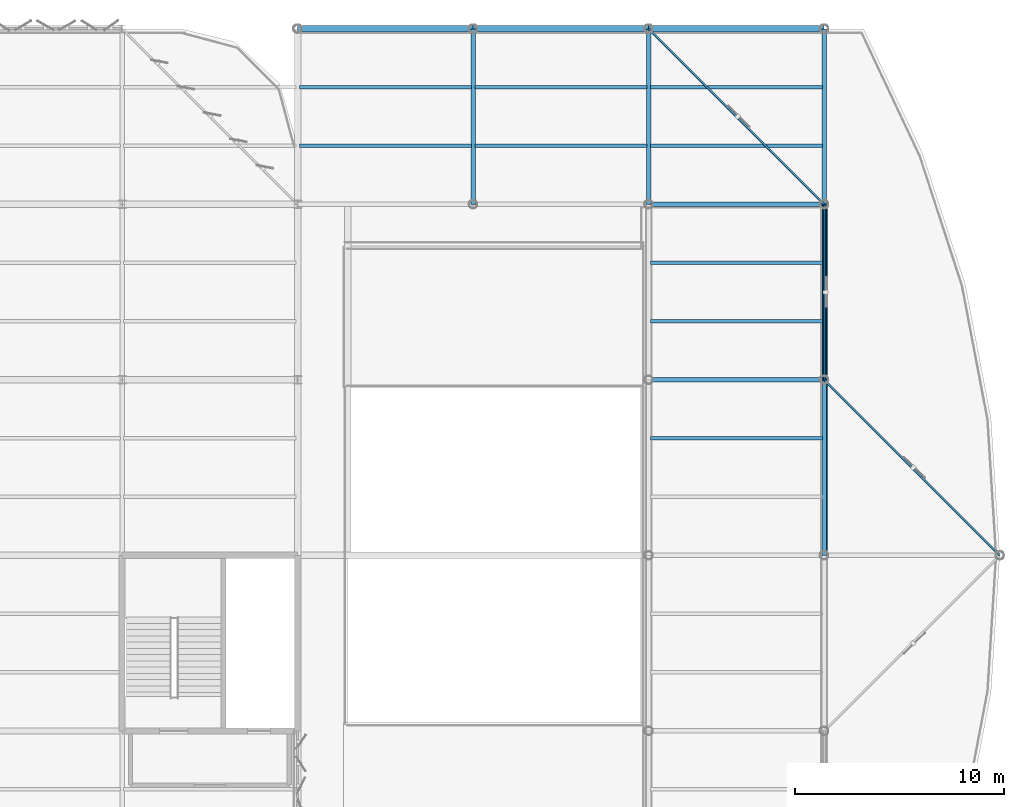
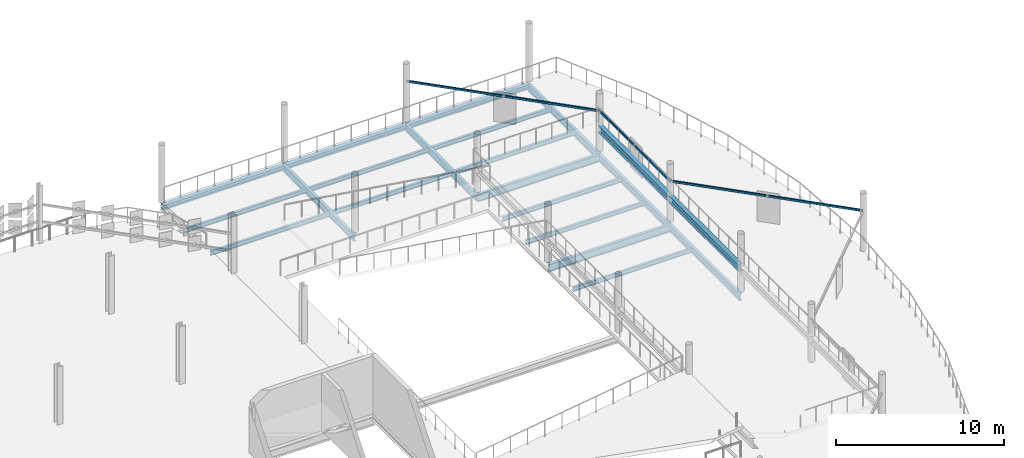
# One storey, part 111 of 163: 24 beams.
"""IFC4 building model written with IfcOpenShell, lengths in metres."""

import ifcopenshell
import ifcopenshell.guid

model = None  # the IFC model being written
_history = None  # IfcOwnerHistory: only IFC2X3 demands one
_inside = {}  # id of a spatial element -> (the spatial element, [elements in it])
_under = {}  # id of a project, library or spatial element -> (it, [spatial elements below it])
_declared = {}  # id of a project -> (the project, [libraries it declares])
_typed = {}  # id of a type object -> (the type object, [elements of that type])
_made_of = {}  # id of a material, layer set ... -> (it, [elements and type objects made of it])


def new_model(schema):
    """Start an empty IFC model of exactly this schema.

    Asked for "IFC4X3", IfcOpenShell would pick the latest addendum, in which some entities
    have other attributes; the version numbers below select the first issue.
    IFC2X3 requires an IfcOwnerHistory on every rooted entity: one is made here for all.
    """
    global model, _history
    if schema == "IFC4X3":
        model = ifcopenshell.file(schema_version=(4, 3, 0, 0))
    else:
        model = ifcopenshell.file(schema=schema)
    _inside.clear()
    _under.clear()
    _declared.clear()
    _typed.clear()
    _made_of.clear()
    _history = None
    if model.schema == "IFC2X3":
        org = make("IfcOrganization", Name="unknown")
        user = make(
            "IfcPersonAndOrganization",
            ThePerson=make("IfcPerson", FamilyName="unknown"),
            TheOrganization=org,
        )
        app = make(
            "IfcApplication",
            ApplicationDeveloper=org,
            Version="unknown",
            ApplicationFullName="unknown",
            ApplicationIdentifier="unknown",
        )
        _history = make(
            "IfcOwnerHistory",
            OwningUser=user,
            OwningApplication=app,
            ChangeAction="ADDED",
            CreationDate=0,
        )
    return model


def make(cls, **values):
    """One entity of the class cls with the attributes given. An attribute that is None is left unset."""
    return model.create_entity(
        cls, **{name: value for name, value in values.items() if value is not None}
    )


def rooted(cls, **values):
    """An entity with a GlobalId (a new one), such as an element, a storey or a relation."""
    return make(cls, GlobalId=ifcopenshell.guid.new(), OwnerHistory=_history, **values)


def si_unit(unit_type, name, prefix=None):
    """IfcSIUnit, for example si_unit("LENGTHUNIT", "METRE", prefix="MILLI")."""
    return make("IfcSIUnit", UnitType=unit_type, Prefix=prefix, Name=name)


def assignment(units):
    """IfcUnitAssignment: the units of a project."""
    return None if units is None else make("IfcUnitAssignment", Units=units)


def point(xyz):
    """IfcCartesianPoint."""
    return None if xyz is None else make("IfcCartesianPoint", Coordinates=xyz)


def direction(xyz):
    """IfcDirection."""
    return None if xyz is None else make("IfcDirection", DirectionRatios=xyz)


def frame(location, z_axis=None, x_axis=None):
    """IfcAxis2Placement3D, a coordinate frame: its origin and axes. An axis left out is left unset."""
    return make(
        "IfcAxis2Placement3D",
        Location=point(location),
        Axis=direction(z_axis),
        RefDirection=direction(x_axis),
    )


def frame_2d(location, x_axis=None):
    """IfcAxis2Placement2D, a coordinate frame in the plane: its origin and x axis."""
    return make(
        "IfcAxis2Placement2D", Location=point(location), RefDirection=direction(x_axis)
    )


def origin():
    """The frame at (0, 0, 0) with its axes left unset."""
    return frame((0.0, 0.0, 0.0))


def origin_2d():
    """The frame at (0, 0) in the plane with its x axis left unset."""
    return frame_2d((0.0, 0.0))


def place(relative_to, where):
    """IfcLocalPlacement: puts the frame where relative to a parent placement (None: the world)."""
    return make(
        "IfcLocalPlacement", PlacementRelTo=relative_to, RelativePlacement=where
    )


def context(
    kind, dimensions, precision=None, world=None, true_north=None, identifier=None
):
    """IfcGeometricRepresentationContext, for example the 3D "Model" context."""
    return make(
        "IfcGeometricRepresentationContext",
        ContextIdentifier=identifier,
        ContextType=kind,
        CoordinateSpaceDimension=dimensions,
        Precision=precision,
        WorldCoordinateSystem=world,
        TrueNorth=true_north,
    )


def subcontext(parent, identifier, kind, view, scale=None):
    """IfcGeometricRepresentationSubContext, for example "Body" below "Model"."""
    return make(
        "IfcGeometricRepresentationSubContext",
        ContextIdentifier=identifier,
        ContextType=kind,
        ParentContext=parent,
        TargetScale=scale,
        TargetView=view,
    )


def project(units=None, contexts=None):
    """IfcProject with its units and contexts."""
    return rooted(
        "IfcProject",
        Name="project",
        RepresentationContexts=contexts,
        UnitsInContext=assignment(units),
    )


def spatial(cls, under=None, at=None, **own):
    """A site, building, storey or space (cls), placed at a placement, below another one or the project."""
    s = rooted(cls, ObjectPlacement=at, **own)
    if under is not None:
        _under.setdefault(under.id(), (under, []))[1].append(s)
    return s


def profile(cls, at=None, kind="AREA", **sizes):
    """A parametric profile (cls). Its sizes go by their IFC names, for example OverallWidth=200.0."""
    return make(cls, ProfileType=kind, Position=at, **sizes)


def hollow_rectangle(**sizes):
    """IfcRectangleHollowProfileDef."""
    return profile("IfcRectangleHollowProfileDef", **sizes)


def i_section(**sizes):
    """IfcIShapeProfileDef."""
    return profile("IfcIShapeProfileDef", **sizes)


def extrude(swept, where, along, depth):
    """IfcExtrudedAreaSolid: the profile swept, set in the frame where, extruded along a direction by depth."""
    return make(
        "IfcExtrudedAreaSolid",
        SweptArea=swept,
        Position=where,
        ExtrudedDirection=direction(along),
        Depth=depth,
    )


def shape(context_of_items, identifier, shape_type, items):
    """IfcShapeRepresentation: the items that make up one representation, for example the "Body"."""
    return make(
        "IfcShapeRepresentation",
        ContextOfItems=context_of_items,
        RepresentationIdentifier=identifier,
        RepresentationType=shape_type,
        Items=items,
    )


def material(Name=None, Category=None):
    """IfcMaterial."""
    return make("IfcMaterial", Name=Name, Category=Category)


def material_profile(
    of_material, cross_section, Name=None, Category=None, Priority=None
):
    """IfcMaterialProfile: a cross section and its material."""
    return make(
        "IfcMaterialProfile",
        Name=Name,
        Material=of_material,
        Profile=cross_section,
        Priority=Priority,
        Category=Category,
    )


def profile_set(profiles, Name=None, composite=None):
    """IfcMaterialProfileSet."""
    return make(
        "IfcMaterialProfileSet",
        Name=Name,
        MaterialProfiles=profiles,
        CompositeProfile=composite,
    )


def made_of(thing, what):
    """Note that an element or type object is made of a material, layer set ...; save() writes the relation."""
    if what is not None:
        _made_of.setdefault(what.id(), (what, []))[1].append(thing)
    return thing


def type_object(cls, material=None, **own):
    """A type object (cls), such as IfcWallType, which elements share."""
    return made_of(rooted(cls, **own), material)


def element(
    cls,
    number,
    at=None,
    inside=None,
    cuts=None,
    type_object=None,
    material=None,
    context=None,
    identifier="Body",
    shape_type=None,
    held_by="IfcProductDefinitionShape",
    body=None,
    shapes=None,
    **own,
):
    """One element of the class cls, such as IfcWall. Its Tag is "e" and its number.

    at: its placement. inside: the storey or other place that contains it. cuts: it is an
    opening in that element (IfcRelVoidsElement). A single representation is given by context,
    identifier, shape_type and body (its items); several are given by shapes. held_by: the class
    of the entity that holds the representations. save() writes the other relations.
    """
    e = rooted(cls, Tag="e%d" % number, ObjectPlacement=at, **own)
    if body is not None:
        shapes = [shape(context, identifier, shape_type, body)]
    if shapes is not None:
        e.Representation = make(held_by, Representations=shapes)
    if inside is not None:
        _inside.setdefault(inside.id(), (inside, []))[1].append(e)
    if cuts is not None:
        rooted(
            "IfcRelVoidsElement", RelatingBuildingElement=cuts, RelatedOpeningElement=e
        )
    if type_object is not None:
        _typed.setdefault(type_object.id(), (type_object, []))[1].append(e)
    return made_of(e, material)


def aggregate(whole, parts):
    """IfcRelAggregates: a whole, such as a stair, and the parts it consists of."""
    return rooted("IfcRelAggregates", RelatingObject=whole, RelatedObjects=parts)


def save(model, path):
    """Write the relations noted so far, then the file.

    IfcRelAggregates (storeys below a building ...), IfcRelContainedInSpatialStructure (elements
    in a storey), IfcRelDefinesByType, IfcRelAssociatesMaterial and IfcRelDeclares: one each for
    every whole, place, type object, material and project.
    """
    for whole, parts in _under.values():
        aggregate(whole, parts)
    for where, things in _inside.values():
        rooted(
            "IfcRelContainedInSpatialStructure",
            RelatedElements=things,
            RelatingStructure=where,
        )
    for kind, things in _typed.values():
        rooted("IfcRelDefinesByType", RelatedObjects=things, RelatingType=kind)
    for what, things in _made_of.values():
        rooted("IfcRelAssociatesMaterial", RelatedObjects=things, RelatingMaterial=what)
    for by, libraries in _declared.values():
        rooted("IfcRelDeclares", RelatingContext=by, RelatedDefinitions=libraries)
    model.write(path)


model = new_model("IFC4")

# Units and contexts
model_context = context("Model", 3, precision=1e-05, world=origin(), true_north=direction((0.0, 1.0)))
body_context = subcontext(model_context, "Body", "Model", "MODEL_VIEW")
ifc_project = project(units=[si_unit("LENGTHUNIT", "METRE"), si_unit("AREAUNIT", "SQUARE_METRE"), si_unit("VOLUMEUNIT", "CUBIC_METRE"), si_unit("PLANEANGLEUNIT", "RADIAN"), si_unit("MASSUNIT", "GRAM", prefix="KILO")], contexts=[model_context])

# Site, building, storey
site_placement = place(None, origin())
site = spatial("IfcSite", under=ifc_project, at=site_placement, CompositionType="ELEMENT")
building_placement = place(site_placement, origin())
building = spatial("IfcBuilding", under=site, at=building_placement, Name="Qalvenar Corner Mobility Hub", CompositionType="ELEMENT")
storey_placement = place(building_placement, frame((0.0, 0.0, 4.800048828125)))
storey = spatial("IfcBuildingStorey", under=building, at=storey_placement, Name="L01", CompositionType="ELEMENT", Elevation=4.800048828125)

# Beams
ifc_material = material(Name="Steel S355", Category="steel")
ifc_material_profile_1 = material_profile(ifc_material, i_section(OverallWidth=0.300048828125, OverallDepth=0.489990234375, WebThickness=0.011962890625, FlangeThickness=0.02294921875, FilletRadius=0.027099609375, at=origin_2d()), Name="HEA500")
ifc_profile_set_1 = profile_set([ifc_material_profile_1], Name="Steel S355")
beam_type_1 = type_object("IfcBeamType", Name="BM-HEA500", PredefinedType="BEAM", material=ifc_profile_set_1)
beam_1_placement = place(storey_placement, frame((168.0, 92.39990234375, 1.635009765625), z_axis=(0.0, 1.0, 0.0), x_axis=(-1.0, 0.0, 0.0)))
element("IfcBeam", 1, at=beam_1_placement, inside=storey, type_object=beam_type_1, Name="Ramp Mid-Landing Girder L01-168-92", PredefinedType="BEAM", context=body_context, shape_type="SweptSolid", body=[
    extrude(i_section(OverallWidth=0.300048828125, OverallDepth=0.489990234375, WebThickness=0.011962890625, FlangeThickness=0.02294921875, FilletRadius=0.027099609375, at=origin_2d()), origin(), (0.0, 0.0, 1.0), 8.400146484375),
])
beam_2_placement = place(storey_placement, frame((168.0, 100.800048828125, 1.635009765625), z_axis=(0.0, 1.0, 0.0), x_axis=(-1.0, 0.0, 0.0)))
element("IfcBeam", 2, at=beam_2_placement, inside=storey, type_object=beam_type_1, Name="Ramp Mid-Landing Girder L01-168-100", PredefinedType="BEAM", context=body_context, shape_type="SweptSolid", body=[
    extrude(i_section(OverallWidth=0.300048828125, OverallDepth=0.489990234375, WebThickness=0.011962890625, FlangeThickness=0.02294921875, FilletRadius=0.027099609375, at=origin_2d()), origin(), (0.0, 0.0, 1.0), 8.39990234375),
])
ifc_material_profile_2 = material_profile(ifc_material, i_section(OverallWidth=0.199951171875, OverallDepth=0.5, WebThickness=0.01025390625, FlangeThickness=0.01611328125, FilletRadius=0.02099609375, at=origin_2d()), Name="IPE500")
ifc_profile_set_2 = profile_set([ifc_material_profile_2], Name="Steel S355")
beam_type_2 = type_object("IfcBeamType", Name="BM-IPE500", PredefinedType="BEAM", material=ifc_profile_set_2)
for number, where, z_axis, x_axis, name in (
    (3, (151.199951171875, 109.199951171875, -0.489990234375), (0.0, 1.0, 0.0), (-1.0, 0.0, 0.0), "Primary Steel Girder GY-1485"),
    (4, (159.60009765625, 109.199951171875, -0.489990234375), (0.0, 1.0, 0.0), (-1.0, 0.0, 0.0), "Primary Steel Girder GY-1491"),
    (5, (168.0, 92.39990234375, -0.489990234375), (0.0, 1.0, 0.0), (-1.0, 0.0, 0.0), "Primary Steel Girder GY-1495"),
):
    element("IfcBeam", number, at=place(storey_placement, frame(where, z_axis=z_axis, x_axis=x_axis)), inside=storey, type_object=beam_type_2, Name=name, PredefinedType="BEAM", context=body_context, shape_type="SweptSolid", body=[
        extrude(i_section(OverallWidth=0.199951171875, OverallDepth=0.5, WebThickness=0.01025390625, FlangeThickness=0.01611328125, FilletRadius=0.02099609375, at=origin_2d()), origin(), (0.0, 0.0, 1.0), 8.400146484375),
    ])
beam_3_placement = place(storey_placement, frame((168.0, 100.800048828125, -0.489990234375), z_axis=(0.0, 1.0, 0.0), x_axis=(-1.0, 0.0, 0.0)))
element("IfcBeam", 6, at=beam_3_placement, inside=storey, type_object=beam_type_2, Name="Primary Steel Girder GY-1496", PredefinedType="BEAM", context=body_context, shape_type="SweptSolid", body=[
    extrude(i_section(OverallWidth=0.199951171875, OverallDepth=0.5, WebThickness=0.01025390625, FlangeThickness=0.01611328125, FilletRadius=0.02099609375, at=origin_2d()), origin(), (0.0, 0.0, 1.0), 8.39990234375),
])
beam_4_placement = place(storey_placement, frame((168.0, 109.199951171875, -0.489990234375), z_axis=(0.0, 1.0, 0.0), x_axis=(-1.0, 0.0, 0.0)))
element("IfcBeam", 7, at=beam_4_placement, inside=storey, type_object=beam_type_2, Name="Primary Steel Girder GY-1497", PredefinedType="BEAM", context=body_context, shape_type="SweptSolid", body=[
    extrude(i_section(OverallWidth=0.199951171875, OverallDepth=0.5, WebThickness=0.01025390625, FlangeThickness=0.01611328125, FilletRadius=0.02099609375, at=origin_2d()), origin(), (0.0, 0.0, 1.0), 8.400146484375),
])
ifc_material_profile_3 = material_profile(ifc_material, i_section(OverallWidth=0.2099609375, OverallDepth=0.550048828125, WebThickness=0.010986328125, FlangeThickness=0.01708984375, FilletRadius=0.02392578125, at=origin_2d()), Name="IPE550")
ifc_profile_set_3 = profile_set([ifc_material_profile_3], Name="Steel S355")
beam_type_3 = type_object("IfcBeamType", Name="BM-IPE550", PredefinedType="BEAM", material=ifc_profile_set_3)
for number, where, z_axis, x_axis, name in (
    (8, (159.60009765625, 100.800048828125, -0.51513671875), (1.0, 0.0, 0.0), (0.0, 1.0, 0.0), "Primary Steel Girder GX-1475"),
    (9, (159.60009765625, 109.199951171875, -0.51513671875), (1.0, 0.0, 0.0), (0.0, 1.0, 0.0), "Primary Steel Girder GX-1478"),
):
    element("IfcBeam", number, at=place(storey_placement, frame(where, z_axis=z_axis, x_axis=x_axis)), inside=storey, type_object=beam_type_3, Name=name, PredefinedType="BEAM", context=body_context, shape_type="SweptSolid", body=[
        extrude(i_section(OverallWidth=0.2099609375, OverallDepth=0.550048828125, WebThickness=0.010986328125, FlangeThickness=0.01708984375, FilletRadius=0.02392578125, at=origin_2d()), origin(), (0.0, 0.0, 1.0), 8.39990234375),
    ])
ifc_material_profile_4 = material_profile(ifc_material, i_section(OverallWidth=0.1650390625, OverallDepth=0.31005859375, WebThickness=0.005859375, FlangeThickness=0.009765625, FilletRadius=0.011962890625, at=origin_2d()), Name="W310x38.7")
ifc_profile_set_4 = profile_set([ifc_material_profile_4], Name="Steel S355")
beam_type_4 = type_object("IfcBeamType", Name="BM-JST310", PredefinedType="JOIST", material=ifc_profile_set_4)
for number, where, z_axis, x_axis, name in (
    (10, (142.8779296875, 112.0, -0.39501953125), (1.0, 0.0, 0.0), (0.0, 1.0, 0.0), "Composite Floor Joist J-1504"),
    (11, (142.8779296875, 114.800048828125, -0.39501953125), (1.0, 0.0, 0.0), (0.0, 1.0, 0.0), "Composite Floor Joist J-1505"),
):
    element("IfcBeam", number, at=place(storey_placement, frame(where, z_axis=z_axis, x_axis=x_axis)), inside=storey, type_object=beam_type_4, Name=name, PredefinedType="JOIST", context=body_context, shape_type="SweptSolid", body=[
        extrude(i_section(OverallWidth=0.1650390625, OverallDepth=0.31005859375, WebThickness=0.005859375, FlangeThickness=0.009765625, FilletRadius=0.011962890625, at=origin_2d()), origin(), (0.0, 0.0, 1.0), 8.244140625),
    ])
for number, where, z_axis, x_axis, name in (
    (12, (151.278076171875, 112.0, -0.39501953125), (1.0, 0.0, 0.0), (0.0, 1.0, 0.0), "Composite Floor Joist J-1508"),
    (13, (151.278076171875, 114.800048828125, -0.39501953125), (1.0, 0.0, 0.0), (0.0, 1.0, 0.0), "Composite Floor Joist J-1509"),
):
    element("IfcBeam", number, at=place(storey_placement, frame(where, z_axis=z_axis, x_axis=x_axis)), inside=storey, type_object=beam_type_4, Name=name, PredefinedType="JOIST", context=body_context, shape_type="SweptSolid", body=[
        extrude(i_section(OverallWidth=0.1650390625, OverallDepth=0.31005859375, WebThickness=0.005859375, FlangeThickness=0.009765625, FilletRadius=0.011962890625, at=origin_2d()), origin(), (0.0, 0.0, 1.0), 8.243896484375),
    ])
for number, where, z_axis, x_axis, name in (
    (14, (159.677978515625, 98.0, -0.39501953125), (1.0, 0.0, 0.0), (0.0, 1.0, 0.0), "Composite Floor Joist J-1517"),
    (15, (159.677978515625, 103.60009765625, -0.39501953125), (1.0, 0.0, 0.0), (0.0, 1.0, 0.0), "Composite Floor Joist J-1518"),
    (16, (159.677978515625, 106.39990234375, -0.39501953125), (1.0, 0.0, 0.0), (0.0, 1.0, 0.0), "Composite Floor Joist J-1519"),
    (17, (159.677978515625, 112.0, -0.39501953125), (1.0, 0.0, 0.0), (0.0, 1.0, 0.0), "Composite Floor Joist J-1520"),
    (18, (159.677978515625, 114.800048828125, -0.39501953125), (1.0, 0.0, 0.0), (0.0, 1.0, 0.0), "Composite Floor Joist J-1521"),
):
    element("IfcBeam", number, at=place(storey_placement, frame(where, z_axis=z_axis, x_axis=x_axis)), inside=storey, type_object=beam_type_4, Name=name, PredefinedType="JOIST", context=body_context, shape_type="SweptSolid", body=[
        extrude(i_section(OverallWidth=0.1650390625, OverallDepth=0.31005859375, WebThickness=0.005859375, FlangeThickness=0.009765625, FilletRadius=0.011962890625, at=origin_2d()), origin(), (0.0, 0.0, 1.0), 8.244140625),
    ])
ifc_material_profile_5 = material_profile(ifc_material, i_section(OverallWidth=0.300048828125, OverallDepth=0.330078125, WebThickness=0.009521484375, FlangeThickness=0.0166015625, FilletRadius=0.027099609375, at=origin_2d()), Name="HEA340")
ifc_profile_set_5 = profile_set([ifc_material_profile_5], Name="Steel S355")
beam_type_5 = type_object("IfcBeamType", Name="BM-SPN340", PredefinedType="SPANDREL", material=ifc_profile_set_5)
beam_5_placement = place(storey_placement, frame((142.800048828125, 117.60009765625, -0.405029296875), z_axis=(1.0, 0.0, 0.0), x_axis=(0.0, 1.0, 0.0)))
element("IfcBeam", 19, at=beam_5_placement, inside=storey, type_object=beam_type_5, Name="Primary Steel Girder GX-1479", PredefinedType="SPANDREL", context=body_context, shape_type="SweptSolid", body=[
    extrude(i_section(OverallWidth=0.300048828125, OverallDepth=0.330078125, WebThickness=0.009521484375, FlangeThickness=0.0166015625, FilletRadius=0.027099609375, at=origin_2d()), origin(), (0.0, 0.0, 1.0), 8.39990234375),
])
beam_6_placement = place(storey_placement, frame((151.199951171875, 117.60009765625, -0.405029296875), z_axis=(1.0, 0.0, 0.0), x_axis=(0.0, 1.0, 0.0)))
element("IfcBeam", 20, at=beam_6_placement, inside=storey, type_object=beam_type_5, Name="Primary Steel Girder GX-1480", PredefinedType="SPANDREL", context=body_context, shape_type="SweptSolid", body=[
    extrude(i_section(OverallWidth=0.300048828125, OverallDepth=0.330078125, WebThickness=0.009521484375, FlangeThickness=0.0166015625, FilletRadius=0.027099609375, at=origin_2d()), origin(), (0.0, 0.0, 1.0), 8.400146484375),
])
beam_7_placement = place(storey_placement, frame((159.60009765625, 117.60009765625, -0.405029296875), z_axis=(1.0, 0.0, 0.0), x_axis=(0.0, 1.0, 0.0)))
element("IfcBeam", 21, at=beam_7_placement, inside=storey, type_object=beam_type_5, Name="Primary Steel Girder GX-1481", PredefinedType="SPANDREL", context=body_context, shape_type="SweptSolid", body=[
    extrude(i_section(OverallWidth=0.300048828125, OverallDepth=0.330078125, WebThickness=0.009521484375, FlangeThickness=0.0166015625, FilletRadius=0.027099609375, at=origin_2d()), origin(), (0.0, 0.0, 1.0), 8.39990234375),
])
ifc_material_profile_6 = material_profile(ifc_material, hollow_rectangle(XDim=0.10009765625, YDim=0.14990234375, WallThickness=0.00634765625, InnerFilletRadius=0.00634765625, OuterFilletRadius=0.0126953125, at=origin_2d()), Name="RHS150x100x6.3")
ifc_profile_set_6 = profile_set([ifc_material_profile_6], Name="Steel S355")
beam_type_6 = type_object("IfcBeamType", Name="FR-RAIL150", PredefinedType="SPANDREL", material=ifc_profile_set_6)
beam_8_placement = place(storey_placement, frame((176.39990234375, 92.39990234375, 2.849853515625), z_axis=(-0.707096505339, 0.707117056885, 0.0), x_axis=(-0.707117056885, -0.707096505339, 0.0)))
element("IfcBeam", 22, at=beam_8_placement, inside=storey, type_object=beam_type_6, Name="Rotunda Screen Rail V2-L01-4", PredefinedType="SPANDREL", context=body_context, shape_type="SweptSolid", body=[
    extrude(hollow_rectangle(XDim=0.10009765625, YDim=0.14990234375, WallThickness=0.00634765625, InnerFilletRadius=0.00634765625, OuterFilletRadius=0.0126953125, at=origin_2d()), origin(), (0.0, 0.0, 1.0), 11.87939453125),
])
beam_9_placement = place(storey_placement, frame((168.0, 100.800048828125, 2.849853515625), z_axis=(0.0, 1.0, 0.0), x_axis=(-1.0, 0.0, 0.0)))
element("IfcBeam", 23, at=beam_9_placement, inside=storey, type_object=beam_type_6, Name="Rotunda Screen Rail V2-L01-5", PredefinedType="SPANDREL", context=body_context, shape_type="SweptSolid", body=[
    extrude(hollow_rectangle(XDim=0.10009765625, YDim=0.14990234375, WallThickness=0.00634765625, InnerFilletRadius=0.00634765625, OuterFilletRadius=0.0126953125, at=origin_2d()), origin(), (0.0, 0.0, 1.0), 8.39990234375),
])
beam_10_placement = place(storey_placement, frame((168.0, 109.199951171875, 2.849853515625), z_axis=(-0.707096505339, 0.707117056885, 0.0), x_axis=(-0.707117056885, -0.707096505339, 0.0)))
element("IfcBeam", 24, at=beam_10_placement, inside=storey, type_object=beam_type_6, Name="Rotunda Screen Rail V2-L01-6", PredefinedType="SPANDREL", context=body_context, shape_type="SweptSolid", body=[
    extrude(hollow_rectangle(XDim=0.10009765625, YDim=0.14990234375, WallThickness=0.00634765625, InnerFilletRadius=0.00634765625, OuterFilletRadius=0.0126953125, at=origin_2d()), origin(), (0.0, 0.0, 1.0), 11.87939453125),
])

save(model, "model.ifc")
